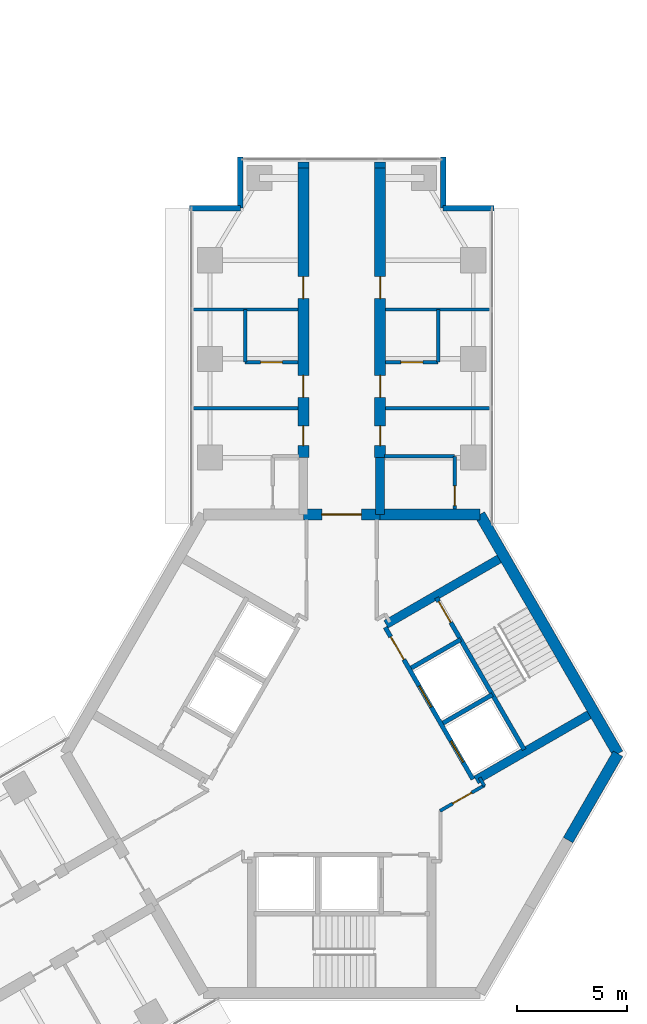
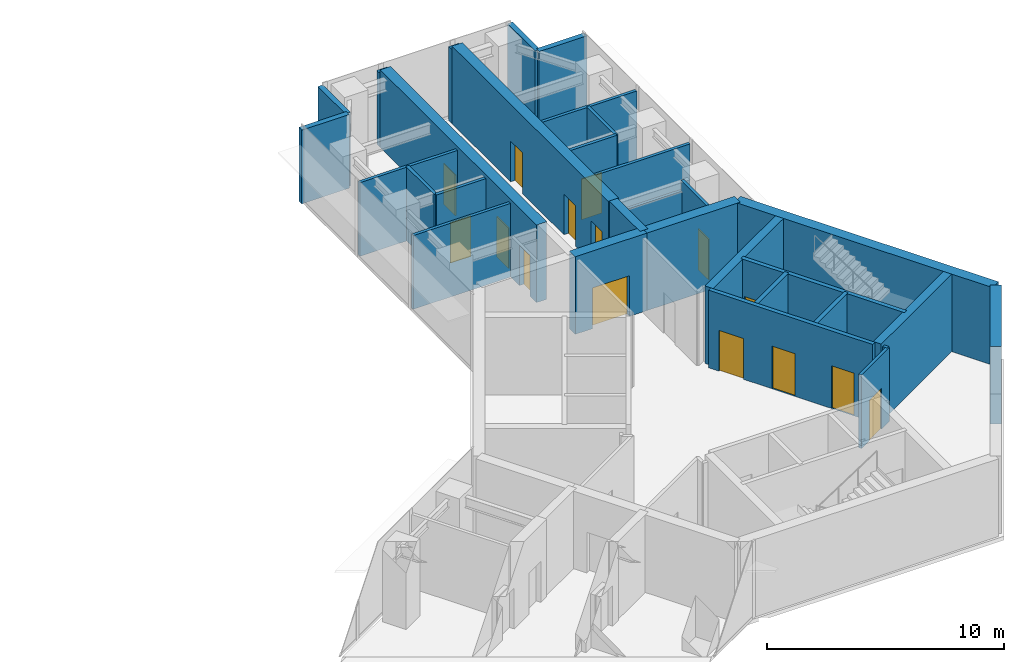
# One storey, part 15 of 17: 31 walls, 15 doors, 15 openings.
"""IFC4 building model written with IfcOpenShell, lengths in metres."""

import ifcopenshell
import ifcopenshell.guid

model = None  # the IFC model being written
_history = None  # IfcOwnerHistory: only IFC2X3 demands one
_inside = {}  # id of a spatial element -> (the spatial element, [elements in it])
_under = {}  # id of a project, library or spatial element -> (it, [spatial elements below it])
_declared = {}  # id of a project -> (the project, [libraries it declares])
_typed = {}  # id of a type object -> (the type object, [elements of that type])
_made_of = {}  # id of a material, layer set ... -> (it, [elements and type objects made of it])


def new_model(schema):
    """Start an empty IFC model of exactly this schema.

    Asked for "IFC4X3", IfcOpenShell would pick the latest addendum, in which some entities
    have other attributes; the version numbers below select the first issue.
    IFC2X3 requires an IfcOwnerHistory on every rooted entity: one is made here for all.
    """
    global model, _history
    if schema == "IFC4X3":
        model = ifcopenshell.file(schema_version=(4, 3, 0, 0))
    else:
        model = ifcopenshell.file(schema=schema)
    _inside.clear()
    _under.clear()
    _declared.clear()
    _typed.clear()
    _made_of.clear()
    _history = None
    if model.schema == "IFC2X3":
        org = make("IfcOrganization", Name="unknown")
        user = make(
            "IfcPersonAndOrganization",
            ThePerson=make("IfcPerson", FamilyName="unknown"),
            TheOrganization=org,
        )
        app = make(
            "IfcApplication",
            ApplicationDeveloper=org,
            Version="unknown",
            ApplicationFullName="unknown",
            ApplicationIdentifier="unknown",
        )
        _history = make(
            "IfcOwnerHistory",
            OwningUser=user,
            OwningApplication=app,
            ChangeAction="ADDED",
            CreationDate=0,
        )
    return model


def make(cls, **values):
    """One entity of the class cls with the attributes given. An attribute that is None is left unset."""
    return model.create_entity(
        cls, **{name: value for name, value in values.items() if value is not None}
    )


def rooted(cls, **values):
    """An entity with a GlobalId (a new one), such as an element, a storey or a relation."""
    return make(cls, GlobalId=ifcopenshell.guid.new(), OwnerHistory=_history, **values)


def si_unit(unit_type, name, prefix=None):
    """IfcSIUnit, for example si_unit("LENGTHUNIT", "METRE", prefix="MILLI")."""
    return make("IfcSIUnit", UnitType=unit_type, Prefix=prefix, Name=name)


def assignment(units):
    """IfcUnitAssignment: the units of a project."""
    return None if units is None else make("IfcUnitAssignment", Units=units)


def point(xyz):
    """IfcCartesianPoint."""
    return None if xyz is None else make("IfcCartesianPoint", Coordinates=xyz)


def direction(xyz):
    """IfcDirection."""
    return None if xyz is None else make("IfcDirection", DirectionRatios=xyz)


def frame(location, z_axis=None, x_axis=None):
    """IfcAxis2Placement3D, a coordinate frame: its origin and axes. An axis left out is left unset."""
    return make(
        "IfcAxis2Placement3D",
        Location=point(location),
        Axis=direction(z_axis),
        RefDirection=direction(x_axis),
    )


def frame_2d(location, x_axis=None):
    """IfcAxis2Placement2D, a coordinate frame in the plane: its origin and x axis."""
    return make(
        "IfcAxis2Placement2D", Location=point(location), RefDirection=direction(x_axis)
    )


def origin():
    """The frame at (0, 0, 0) with its axes left unset."""
    return frame((0.0, 0.0, 0.0))


def place(relative_to, where):
    """IfcLocalPlacement: puts the frame where relative to a parent placement (None: the world)."""
    return make(
        "IfcLocalPlacement", PlacementRelTo=relative_to, RelativePlacement=where
    )


def context(
    kind, dimensions, precision=None, world=None, true_north=None, identifier=None
):
    """IfcGeometricRepresentationContext, for example the 3D "Model" context."""
    return make(
        "IfcGeometricRepresentationContext",
        ContextIdentifier=identifier,
        ContextType=kind,
        CoordinateSpaceDimension=dimensions,
        Precision=precision,
        WorldCoordinateSystem=world,
        TrueNorth=true_north,
    )


def subcontext(parent, identifier, kind, view, scale=None):
    """IfcGeometricRepresentationSubContext, for example "Body" below "Model"."""
    return make(
        "IfcGeometricRepresentationSubContext",
        ContextIdentifier=identifier,
        ContextType=kind,
        ParentContext=parent,
        TargetScale=scale,
        TargetView=view,
    )


def project(units=None, contexts=None):
    """IfcProject with its units and contexts."""
    return rooted(
        "IfcProject",
        Name="project",
        RepresentationContexts=contexts,
        UnitsInContext=assignment(units),
    )


def spatial(cls, under=None, at=None, **own):
    """A site, building, storey or space (cls), placed at a placement, below another one or the project."""
    s = rooted(cls, ObjectPlacement=at, **own)
    if under is not None:
        _under.setdefault(under.id(), (under, []))[1].append(s)
    return s


def profile(cls, at=None, kind="AREA", **sizes):
    """A parametric profile (cls). Its sizes go by their IFC names, for example OverallWidth=200.0."""
    return make(cls, ProfileType=kind, Position=at, **sizes)


def rectangle(**sizes):
    """IfcRectangleProfileDef."""
    return profile("IfcRectangleProfileDef", **sizes)


def extrude(swept, where, along, depth):
    """IfcExtrudedAreaSolid: the profile swept, set in the frame where, extruded along a direction by depth."""
    return make(
        "IfcExtrudedAreaSolid",
        SweptArea=swept,
        Position=where,
        ExtrudedDirection=direction(along),
        Depth=depth,
    )


def shape(context_of_items, identifier, shape_type, items):
    """IfcShapeRepresentation: the items that make up one representation, for example the "Body"."""
    return make(
        "IfcShapeRepresentation",
        ContextOfItems=context_of_items,
        RepresentationIdentifier=identifier,
        RepresentationType=shape_type,
        Items=items,
    )


def material(Name=None, Category=None):
    """IfcMaterial."""
    return make("IfcMaterial", Name=Name, Category=Category)


def layer(
    of_material, thickness, ventilated=None, Name=None, Category=None, Priority=None
):
    """IfcMaterialLayer: one layer of a wall or slab, of a material (None: an air gap)."""
    return make(
        "IfcMaterialLayer",
        Material=of_material,
        LayerThickness=thickness,
        IsVentilated=ventilated,
        Name=Name,
        Category=Category,
        Priority=Priority,
    )


def layer_set(layers, Name=None):
    """IfcMaterialLayerSet."""
    return make("IfcMaterialLayerSet", MaterialLayers=layers, LayerSetName=Name)


def made_of(thing, what):
    """Note that an element or type object is made of a material, layer set ...; save() writes the relation."""
    if what is not None:
        _made_of.setdefault(what.id(), (what, []))[1].append(thing)
    return thing


def type_object(cls, material=None, **own):
    """A type object (cls), such as IfcWallType, which elements share."""
    return made_of(rooted(cls, **own), material)


def element(
    cls,
    number,
    at=None,
    inside=None,
    cuts=None,
    type_object=None,
    material=None,
    context=None,
    identifier="Body",
    shape_type=None,
    held_by="IfcProductDefinitionShape",
    body=None,
    shapes=None,
    **own,
):
    """One element of the class cls, such as IfcWall. Its Tag is "e" and its number.

    at: its placement. inside: the storey or other place that contains it. cuts: it is an
    opening in that element (IfcRelVoidsElement). A single representation is given by context,
    identifier, shape_type and body (its items); several are given by shapes. held_by: the class
    of the entity that holds the representations. save() writes the other relations.
    """
    e = rooted(cls, Tag="e%d" % number, ObjectPlacement=at, **own)
    if body is not None:
        shapes = [shape(context, identifier, shape_type, body)]
    if shapes is not None:
        e.Representation = make(held_by, Representations=shapes)
    if inside is not None:
        _inside.setdefault(inside.id(), (inside, []))[1].append(e)
    if cuts is not None:
        rooted(
            "IfcRelVoidsElement", RelatingBuildingElement=cuts, RelatedOpeningElement=e
        )
    if type_object is not None:
        _typed.setdefault(type_object.id(), (type_object, []))[1].append(e)
    return made_of(e, material)


def fill(opening, filler):
    """IfcRelFillsElement: the door or window that sits in an opening."""
    return rooted(
        "IfcRelFillsElement",
        RelatingOpeningElement=opening,
        RelatedBuildingElement=filler,
    )


def aggregate(whole, parts):
    """IfcRelAggregates: a whole, such as a stair, and the parts it consists of."""
    return rooted("IfcRelAggregates", RelatingObject=whole, RelatedObjects=parts)


def save(model, path):
    """Write the relations noted so far, then the file.

    IfcRelAggregates (storeys below a building ...), IfcRelContainedInSpatialStructure (elements
    in a storey), IfcRelDefinesByType, IfcRelAssociatesMaterial and IfcRelDeclares: one each for
    every whole, place, type object, material and project.
    """
    for whole, parts in _under.values():
        aggregate(whole, parts)
    for where, things in _inside.values():
        rooted(
            "IfcRelContainedInSpatialStructure",
            RelatedElements=things,
            RelatingStructure=where,
        )
    for kind, things in _typed.values():
        rooted("IfcRelDefinesByType", RelatedObjects=things, RelatingType=kind)
    for what, things in _made_of.values():
        rooted("IfcRelAssociatesMaterial", RelatedObjects=things, RelatingMaterial=what)
    for by, libraries in _declared.values():
        rooted("IfcRelDeclares", RelatingContext=by, RelatedDefinitions=libraries)
    model.write(path)


model = new_model("IFC4")

# Units and contexts
model_context = context("Model", 3, precision=1e-05, world=origin(), true_north=direction((0.0, 1.0)))
body_context = subcontext(model_context, "Body", "Model", "MODEL_VIEW")
ifc_project = project(units=[si_unit("LENGTHUNIT", "METRE"), si_unit("AREAUNIT", "SQUARE_METRE"), si_unit("VOLUMEUNIT", "CUBIC_METRE"), si_unit("PLANEANGLEUNIT", "RADIAN"), si_unit("MASSUNIT", "GRAM", prefix="KILO")], contexts=[model_context])

# Site, building, storey
site_placement = place(None, origin())
site = spatial("IfcSite", under=ifc_project, at=site_placement, CompositionType="ELEMENT")
building_placement = place(site_placement, origin())
building = spatial("IfcBuilding", under=site, at=building_placement, Name="Upepo Twin Towers", CompositionType="ELEMENT")
storey_placement = place(building_placement, frame((0.0, 0.0, 198.5)))
storey = spatial("IfcBuildingStorey", under=building, at=storey_placement, Name="L48", CompositionType="ELEMENT", Elevation=198.5)

# Walls
ifc_material_1 = material(Name="Dense concrete blockwork", Category="masonry")
ifc_layer_1 = layer(ifc_material_1, 0.5)
ifc_layer_set_1 = layer_set([ifc_layer_1], Name="Buttress closer 500, blockwork with fire-stopping to the curtain wall")
wall_type_1 = type_object("IfcWallType", Name="Buttress closer 500, blockwork with fire-stopping to the curtain wall", PredefinedType="PARTITIONING", material=ifc_layer_set_1)
for number, where, z_axis, x_axis, name in (
    (1, (56.75, 8.699951171875, 0.0), (0.0, 0.0, 1.0), (0.0, 1.0, 0.0), "T2 L48 wing A buttress closer L"),
    (2, (60.25, 8.699951171875, 0.0), (0.0, 0.0, 1.0), (0.0, 1.0, 0.0), "T2 L48 wing A buttress closer R"),
):
    element("IfcWall", number, at=place(storey_placement, frame(where, z_axis=z_axis, x_axis=x_axis)), inside=storey, type_object=wall_type_1, Name=name, PredefinedType="PARTITIONING", context=body_context, shape_type="SweptSolid", body=[
        extrude(rectangle(XDim=0.28759765625, YDim=0.5, at=frame_2d((0.143798828125, 0.0))), origin(), (0.0, 0.0, 1.0), 3.800048828125),
    ])
ifc_material_2 = material(Name="Concrete C60/75", Category="concrete")
ifc_layer_2 = layer(ifc_material_2, 0.39990234375)
ifc_layer_set_2 = layer_set([ifc_layer_2], Name="Concrete C60/75")
wall_type_2 = type_object("IfcWallType", Name="Buttress wall 400 RC", PredefinedType="SHEAR", material=ifc_layer_set_2)
wall_1_placement = place(storey_placement, frame((60.25, -7.091552734375, 0.0), z_axis=(0.0, 0.0, 1.0), x_axis=(0.0, 1.0, 0.0)))
element("IfcWall", 3, at=wall_1_placement, inside=storey, type_object=wall_type_2, Name="T2 wing A buttress wall R", PredefinedType="SHEAR", context=body_context, shape_type="SweptSolid", body=[
    extrude(rectangle(XDim=2.591552734375, YDim=0.39990234375, at=frame_2d((1.2958984375, 0.0))), origin(), (0.0, 0.0, 1.0), 4.0),
])

# Wall, openings, doors
ifc_material_3 = material(Name="Concrete C60/75", Category="concrete")
ifc_layer_3 = layer(ifc_material_3, 0.5)
ifc_layer_set_3 = layer_set([ifc_layer_3], Name="Concrete C60/75")
wall_type_3 = type_object("IfcWallType", Name="Buttress wall 500 RC", PredefinedType="SHEAR", material=ifc_layer_set_3)
wall_2_placement = place(storey_placement, frame((56.75, -4.5, 0.0), z_axis=(0.0, 0.0, 1.0), x_axis=(0.0, 1.0, 0.0)))
wall_2 = element("IfcWall", 4, at=wall_2_placement, inside=storey, type_object=wall_type_3, Name="T2 wing A buttress wall L part 2", PredefinedType="SHEAR", context=body_context, shape_type="SweptSolid", body=[
    extrude(rectangle(XDim=13.199951171875, YDim=0.5, at=frame_2d((6.60009765625, 0.0))), origin(), (0.0, 0.0, 1.0), 4.0),
])
opening_1_placement = place(wall_2_placement, frame((0.550048828125, 0.0, 0.0)))
opening_1 = element("IfcOpeningElement", 5, at=opening_1_placement, cuts=wall_2, Name="Opening D11", PredefinedType="OPENING", context=body_context, shape_type="SweptSolid", body=[
    extrude(rectangle(XDim=0.89990234375, YDim=2.10009765625, at=frame_2d((0.449951171875, 1.050048828125))), frame((0.0, 0.260009765625, 0.0), z_axis=(0.0, -1.0, 0.0), x_axis=(1.0, 0.0, 0.0)), (0.0, 0.0, 1.0), 0.52001953125),
])
opening_2_placement = place(wall_2_placement, frame((2.75, 0.0, 0.0)))
opening_2 = element("IfcOpeningElement", 6, at=opening_2_placement, cuts=wall_2, Name="Opening D1", PredefinedType="OPENING", context=body_context, shape_type="SweptSolid", body=[
    extrude(rectangle(XDim=1.0, YDim=2.10009765625, at=frame_2d((0.5, 1.050048828125))), frame((0.0, 0.260009765625, 0.0), z_axis=(0.0, -1.0, 0.0), x_axis=(1.0, 0.0, 0.0)), (0.0, 0.0, 1.0), 0.52001953125),
])
opening_3_placement = place(wall_2_placement, frame((7.25, 0.0, 0.0)))
opening_3 = element("IfcOpeningElement", 7, at=opening_3_placement, cuts=wall_2, Name="Opening D1", PredefinedType="OPENING", context=body_context, shape_type="SweptSolid", body=[
    extrude(rectangle(XDim=1.0, YDim=2.10009765625, at=frame_2d((0.5, 1.050048828125))), frame((0.0, 0.260009765625, 0.0), z_axis=(0.0, -1.0, 0.0), x_axis=(1.0, 0.0, 0.0)), (0.0, 0.0, 1.0), 0.52001953125),
])
ifc_material_4 = material(Name="Timber doorset", Category="wood")
door_type_1 = type_object("IfcDoorType", Name="Room door 1000 FD30", OperationType="SINGLE_SWING_LEFT", PredefinedType="DOOR", material=ifc_material_4)
door_1_placement = place(opening_2_placement, origin())
door_1 = element("IfcDoor", 8, at=door_1_placement, inside=storey, type_object=door_type_1, Name="T2 L48 tutorial room door", OperationType="SINGLE_SWING_LEFT", OverallHeight=2.10009765625, OverallWidth=1.0, PredefinedType="DOOR", context=body_context, shape_type="SweptSolid", body=[
    extrude(rectangle(XDim=1.0, YDim=2.10009765625, at=frame_2d((0.5, 1.050048828125))), frame((0.0, 0.02490234375, 0.0), z_axis=(0.0, -1.0, 0.0), x_axis=(1.0, 0.0, 0.0)), (0.0, 0.0, 1.0), 0.050048828125),
])
fill(opening_2, door_1)
door_2_placement = place(opening_3_placement, origin())
door_2 = element("IfcDoor", 9, at=door_2_placement, inside=storey, type_object=door_type_1, Name="T2 L48 staff office door", OperationType="SINGLE_SWING_RIGHT", OverallHeight=2.10009765625, OverallWidth=1.0, PredefinedType="DOOR", context=body_context, shape_type="SweptSolid", body=[
    extrude(rectangle(XDim=1.0, YDim=2.10009765625, at=frame_2d((0.5, 1.050048828125))), frame((0.0, 0.02490234375, 0.0), z_axis=(0.0, -1.0, 0.0), x_axis=(1.0, 0.0, 0.0)), (0.0, 0.0, 1.0), 0.050048828125),
])
fill(opening_3, door_2)
ifc_material_5 = material(Name="Timber doorset", Category="wood")
door_type_2 = type_object("IfcDoorType", Name="Toilet door 900", OperationType="SINGLE_SWING_LEFT", PredefinedType="DOOR", material=ifc_material_5)
door_3_placement = place(opening_1_placement, origin())
door_3 = element("IfcDoor", 10, at=door_3_placement, inside=storey, type_object=door_type_2, Name="T2 L48 toilets door", OperationType="SINGLE_SWING_LEFT", OverallHeight=2.10009765625, OverallWidth=0.89990234375, PredefinedType="DOOR", context=body_context, shape_type="SweptSolid", body=[
    extrude(rectangle(XDim=0.89990234375, YDim=2.10009765625, at=frame_2d((0.449951171875, 1.050048828125))), frame((0.0, 0.02490234375, 0.0), z_axis=(0.0, -1.0, 0.0), x_axis=(1.0, 0.0, 0.0)), (0.0, 0.0, 1.0), 0.050048828125),
])
fill(opening_1, door_3)

wall_3_placement = place(storey_placement, frame((60.25, -4.5, 0.0), z_axis=(0.0, 0.0, 1.0), x_axis=(0.0, 1.0, 0.0)))
wall_3 = element("IfcWall", 11, at=wall_3_placement, inside=storey, type_object=wall_type_3, Name="T2 wing A buttress wall R part 2", PredefinedType="SHEAR", context=body_context, shape_type="SweptSolid", body=[
    extrude(rectangle(XDim=13.199951171875, YDim=0.5, at=frame_2d((6.60009765625, 0.0))), origin(), (0.0, 0.0, 1.0), 4.0),
])
opening_4_placement = place(wall_3_placement, frame((0.550048828125, 0.0, 0.0)))
opening_4 = element("IfcOpeningElement", 12, at=opening_4_placement, cuts=wall_3, Name="Opening D11", PredefinedType="OPENING", context=body_context, shape_type="SweptSolid", body=[
    extrude(rectangle(XDim=0.89990234375, YDim=2.10009765625, at=frame_2d((0.449951171875, 1.050048828125))), frame((0.0, 0.260009765625, 0.0), z_axis=(0.0, -1.0, 0.0), x_axis=(1.0, 0.0, 0.0)), (0.0, 0.0, 1.0), 0.52001953125),
])
opening_5_placement = place(wall_3_placement, frame((2.75, 0.0, 0.0)))
opening_5 = element("IfcOpeningElement", 13, at=opening_5_placement, cuts=wall_3, Name="Opening D1", PredefinedType="OPENING", context=body_context, shape_type="SweptSolid", body=[
    extrude(rectangle(XDim=1.0, YDim=2.10009765625, at=frame_2d((0.5, 1.050048828125))), frame((0.0, 0.260009765625, 0.0), z_axis=(0.0, -1.0, 0.0), x_axis=(1.0, 0.0, 0.0)), (0.0, 0.0, 1.0), 0.52001953125),
])
opening_6_placement = place(wall_3_placement, frame((7.25, 0.0, 0.0)))
opening_6 = element("IfcOpeningElement", 14, at=opening_6_placement, cuts=wall_3, Name="Opening D1", PredefinedType="OPENING", context=body_context, shape_type="SweptSolid", body=[
    extrude(rectangle(XDim=1.0, YDim=2.10009765625, at=frame_2d((0.5, 1.050048828125))), frame((0.0, 0.260009765625, 0.0), z_axis=(0.0, -1.0, 0.0), x_axis=(1.0, 0.0, 0.0)), (0.0, 0.0, 1.0), 0.52001953125),
])
door_4_placement = place(opening_5_placement, origin())
door_4 = element("IfcDoor", 15, at=door_4_placement, inside=storey, type_object=door_type_1, Name="T2 L48 seminar room door", OperationType="SINGLE_SWING_LEFT", OverallHeight=2.10009765625, OverallWidth=1.0, PredefinedType="DOOR", context=body_context, shape_type="SweptSolid", body=[
    extrude(rectangle(XDim=1.0, YDim=2.10009765625, at=frame_2d((0.5, 1.050048828125))), frame((0.0, 0.02490234375, 0.0), z_axis=(0.0, -1.0, 0.0), x_axis=(1.0, 0.0, 0.0)), (0.0, 0.0, 1.0), 0.050048828125),
])
fill(opening_5, door_4)
door_5_placement = place(opening_6_placement, origin())
door_5 = element("IfcDoor", 16, at=door_5_placement, inside=storey, type_object=door_type_1, Name="T2 L48 tutorial room door", OperationType="SINGLE_SWING_RIGHT", OverallHeight=2.10009765625, OverallWidth=1.0, PredefinedType="DOOR", context=body_context, shape_type="SweptSolid", body=[
    extrude(rectangle(XDim=1.0, YDim=2.10009765625, at=frame_2d((0.5, 1.050048828125))), frame((0.0, 0.02490234375, 0.0), z_axis=(0.0, -1.0, 0.0), x_axis=(1.0, 0.0, 0.0)), (0.0, 0.0, 1.0), 0.050048828125),
])
fill(opening_6, door_5)
door_6_placement = place(opening_4_placement, origin())
door_6 = element("IfcDoor", 17, at=door_6_placement, inside=storey, type_object=door_type_2, Name="T2 L48 accessible wc door", OperationType="SINGLE_SWING_LEFT", OverallHeight=2.10009765625, OverallWidth=0.89990234375, PredefinedType="DOOR", context=body_context, shape_type="SweptSolid", body=[
    extrude(rectangle(XDim=0.89990234375, YDim=2.10009765625, at=frame_2d((0.449951171875, 1.050048828125))), frame((0.0, 0.02490234375, 0.0), z_axis=(0.0, -1.0, 0.0), x_axis=(1.0, 0.0, 0.0)), (0.0, 0.0, 1.0), 0.050048828125),
])
fill(opening_4, door_6)

# Wall
ifc_material_6 = material(Name="Concrete C60/75", Category="concrete")
ifc_layer_4 = layer(ifc_material_6, 0.5)
ifc_layer_set_4 = layer_set([ifc_layer_4], Name="Concrete C60/75")
wall_type_4 = type_object("IfcWallType", Name="Core wall 500 RC", PredefinedType="SHEAR", material=ifc_layer_set_4)
wall_4_placement = place(storey_placement, frame((64.7978515625, -7.091552734375, 0.0), z_axis=(0.0, 0.0, 1.0), x_axis=(-1.0, 0.0, 0.0)))
element("IfcWall", 18, at=wall_4_placement, inside=storey, type_object=wall_type_4, Name="T2 core wall 000 R", PredefinedType="SHEAR", context=body_context, shape_type="SweptSolid", body=[
    extrude(rectangle(XDim=4.5478515625, YDim=0.5, at=frame_2d((2.27392578125, 0.0))), origin(), (0.0, 0.0, 1.0), 4.0),
])

# Wall, opening, door
wall_5_placement = place(storey_placement, frame((60.25, -7.091552734375, 0.0), z_axis=(0.0, 0.0, 1.0), x_axis=(-1.0, 0.0, 0.0)))
wall_5 = element("IfcWall", 19, at=wall_5_placement, inside=storey, type_object=wall_type_4, Name="T2 core wall 000", PredefinedType="SHEAR", context=body_context, shape_type="SweptSolid", body=[
    extrude(rectangle(XDim=3.5, YDim=0.5, at=frame_2d((1.75, 0.0))), origin(), (0.0, 0.0, 1.0), 4.0),
])
opening_7_placement = place(wall_5_placement, frame((0.85009765625, 0.0, 0.0)))
opening_7 = element("IfcOpeningElement", 20, at=opening_7_placement, cuts=wall_5, Name="Opening D2", PredefinedType="OPENING", context=body_context, shape_type="SweptSolid", body=[
    extrude(rectangle(XDim=1.800048828125, YDim=2.10009765625, at=frame_2d((0.89990234375, 1.050048828125))), frame((0.0, 0.260009765625, 0.0), z_axis=(0.0, -1.0, 0.0), x_axis=(1.0, 0.0, 0.0)), (0.0, 0.0, 1.0), 0.52001953125),
])
ifc_material_7 = material(Name="Timber doorset", Category="wood")
door_type_3 = type_object("IfcDoorType", Name="Corridor double door 1800 FD60", OperationType="DOUBLE_DOOR_DOUBLE_SWING", PredefinedType="DOOR", material=ifc_material_7)
door_7_placement = place(opening_7_placement, origin())
door_7 = element("IfcDoor", 21, at=door_7_placement, inside=storey, type_object=door_type_3, Name="T2 L48 wing A corridor door", OperationType="DOUBLE_DOOR_DOUBLE_SWING", OverallHeight=2.10009765625, OverallWidth=1.800048828125, PredefinedType="DOOR", context=body_context, shape_type="SweptSolid", body=[
    extrude(rectangle(XDim=1.800048828125, YDim=2.10009765625, at=frame_2d((0.89990234375, 1.050048828125))), frame((0.0, 0.02490234375, 0.0), z_axis=(0.0, -1.0, 0.0), x_axis=(1.0, 0.0, 0.0)), (0.0, 0.0, 1.0), 0.050048828125),
])
fill(opening_7, door_7)

# Walls
wall_6_placement = place(storey_placement, frame((68.82177734375, -21.938720703125, 0.0), z_axis=(0.0, 0.0, 1.0), x_axis=(0.500024481964, 0.866011268655, 0.0)))
element("IfcWall", 22, at=wall_6_placement, inside=storey, type_object=wall_type_4, Name="T2 core wall 240 L", PredefinedType="SHEAR", context=body_context, shape_type="SweptSolid", body=[
    extrude(rectangle(XDim=4.548095703125, YDim=0.5, at=frame_2d((2.27392578125, 0.0))), origin(), (0.0, 0.0, 1.0), 4.0),
])
wall_7_placement = place(storey_placement, frame((71.095947265625, -18.0, 0.0), z_axis=(0.0, 0.0, 1.0), x_axis=(-0.500005998175, 0.866021940709, 0.0)))
element("IfcWall", 23, at=wall_7_placement, inside=storey, type_object=wall_type_4, Name="T2 core wall 300", PredefinedType="SHEAR", context=body_context, shape_type="SweptSolid", body=[
    extrude(rectangle(XDim=12.595947265625, YDim=0.5, at=frame_2d((6.2978515625, 0.0))), origin(), (0.0, 0.0, 1.0), 4.0),
])
ifc_material_8 = material(Name="Blockwork with anodised aluminium cladding", Category="masonry")
ifc_layer_5 = layer(ifc_material_8, 0.25)
ifc_layer_set_5 = layer_set([ifc_layer_5], Name="Notch cladding wall 250, pale metal")
wall_type_5 = type_object("IfcWallType", Name="Notch cladding wall 250, pale metal", PredefinedType="STANDARD", material=ifc_layer_set_5)
for number, where, z_axis, x_axis, name in (
    (24, (51.550048828125, 6.875, 0.0), (0.0, 0.0, 1.0), (1.0, 0.0, 0.0), "T2 L48 wing A notch wall L1"),
    (25, (53.875, 6.875, 0.0), (0.0, 0.0, 1.0), (0.0, 1.0, 0.0), "T2 L48 wing A notch wall L2"),
    (26, (65.449951171875, 6.875, 0.0), (0.0, 0.0, 1.0), (-1.0, 0.0, 0.0), "T2 L48 wing A notch wall R1"),
    (27, (63.125, 6.875, 0.0), (0.0, 0.0, 1.0), (0.0, 1.0, 0.0), "T2 L48 wing A notch wall R2"),
):
    element("IfcWall", number, at=place(storey_placement, frame(where, z_axis=z_axis, x_axis=x_axis)), inside=storey, type_object=wall_type_5, Name=name, PredefinedType="STANDARD", context=body_context, shape_type="SweptSolid", body=[
        extrude(rectangle(XDim=2.324951171875, YDim=0.25, at=frame_2d((1.16259765625, 0.0))), origin(), (0.0, 0.0, 1.0), 3.800048828125),
    ])

# Wall, openings, doors
ifc_material_9 = material(Name="Concrete C40/50", Category="concrete")
ifc_layer_6 = layer(ifc_material_9, 0.199951171875)
ifc_layer_set_6 = layer_set([ifc_layer_6], Name="Concrete C40/50")
wall_type_6 = type_object("IfcWallType", Name="Shaft wall 200 RC", PredefinedType="SHEAR", material=ifc_layer_set_6)
wall_8_placement = place(storey_placement, frame((64.483642578125, -19.1640625, 0.0), z_axis=(0.0, 0.0, 1.0), x_axis=(-0.49999894854, 0.866026010844, 0.0)))
wall_8 = element("IfcWall", 28, at=wall_8_placement, inside=storey, type_object=wall_type_6, Name="T2 core W300 front wall", PredefinedType="SHEAR", context=body_context, shape_type="SweptSolid", body=[
    extrude(rectangle(XDim=8.0, YDim=0.199951171875, at=frame_2d((4.0, 0.0))), origin(), (0.0, 0.0, 1.0), 4.0),
])
opening_8_placement = place(wall_8_placement, frame((6.300048828125, 0.0, 0.0)))
opening_8 = element("IfcOpeningElement", 29, at=opening_8_placement, cuts=wall_8, Name="Opening D4", PredefinedType="OPENING", context=body_context, shape_type="SweptSolid", body=[
    extrude(rectangle(XDim=1.199951171875, YDim=2.10009765625, at=frame_2d((0.60009765625, 1.050048828125))), frame((0.0, 0.10986328125, 0.0), z_axis=(0.0, -1.0, 0.0), x_axis=(1.0, 0.0, 0.0)), (0.0, 0.0, 1.0), 0.219970703125),
])
opening_9_placement = place(wall_8_placement, frame((0.89990234375, 0.0, 0.0)))
opening_9 = element("IfcOpeningElement", 30, at=opening_9_placement, cuts=wall_8, Name="Opening LD1", PredefinedType="OPENING", context=body_context, shape_type="SweptSolid", body=[
    extrude(rectangle(XDim=1.10009765625, YDim=2.199951171875, at=frame_2d((0.550048828125, 1.10009765625))), frame((0.0, 0.10986328125, 0.0), z_axis=(0.0, -1.0, 0.0), x_axis=(1.0, 0.0, 0.0)), (0.0, 0.0, 1.0), 0.219970703125),
])
opening_10_placement = place(wall_8_placement, frame((3.800048828125, 0.0, 0.0)))
opening_10 = element("IfcOpeningElement", 31, at=opening_10_placement, cuts=wall_8, Name="Opening LD1", PredefinedType="OPENING", context=body_context, shape_type="SweptSolid", body=[
    extrude(rectangle(XDim=1.10009765625, YDim=2.199951171875, at=frame_2d((0.550048828125, 1.10009765625))), frame((0.0, 0.10986328125, 0.0), z_axis=(0.0, -1.0, 0.0), x_axis=(1.0, 0.0, 0.0)), (0.0, 0.0, 1.0), 0.219970703125),
])
ifc_material_10 = material(Name="Steel doorset", Category="steel")
door_type_4 = type_object("IfcDoorType", Name="Lift landing door 1100", OperationType="DOUBLE_DOOR_SLIDING", PredefinedType="DOOR", material=ifc_material_10)
door_8_placement = place(opening_9_placement, origin())
door_8 = element("IfcDoor", 32, at=door_8_placement, inside=storey, type_object=door_type_4, Name="T2 L48 lift UL1 landing door", OperationType="DOUBLE_DOOR_SLIDING", OverallHeight=2.199951171875, OverallWidth=1.10009765625, PredefinedType="DOOR", context=body_context, shape_type="SweptSolid", body=[
    extrude(rectangle(XDim=1.10009765625, YDim=2.199951171875, at=frame_2d((0.550048828125, 1.10009765625))), frame((0.0, 0.02490234375, 0.0), z_axis=(0.0, -1.0, 0.0), x_axis=(1.0, 0.0, 0.0)), (0.0, 0.0, 1.0), 0.050048828125),
])
fill(opening_9, door_8)
door_9_placement = place(opening_10_placement, origin())
door_9 = element("IfcDoor", 33, at=door_9_placement, inside=storey, type_object=door_type_4, Name="T2 L48 lift UL2 landing door", OperationType="DOUBLE_DOOR_SLIDING", OverallHeight=2.199951171875, OverallWidth=1.10009765625, PredefinedType="DOOR", context=body_context, shape_type="SweptSolid", body=[
    extrude(rectangle(XDim=1.10009765625, YDim=2.199951171875, at=frame_2d((0.550048828125, 1.10009765625))), frame((0.0, 0.02490234375, 0.0), z_axis=(0.0, -1.0, 0.0), x_axis=(1.0, 0.0, 0.0)), (0.0, 0.0, 1.0), 0.050048828125),
])
fill(opening_10, door_9)
ifc_material_11 = material(Name="Timber doorset", Category="wood")
door_type_5 = type_object("IfcDoorType", Name="Lobby door 1200 FD60", OperationType="SINGLE_SWING_LEFT", PredefinedType="DOOR", material=ifc_material_11)
door_10_placement = place(opening_8_placement, origin())
door_10 = element("IfcDoor", 34, at=door_10_placement, inside=storey, type_object=door_type_5, Name="T2 L48 W300 lobby door", OperationType="SINGLE_SWING_RIGHT", OverallHeight=2.10009765625, OverallWidth=1.199951171875, PredefinedType="DOOR", context=body_context, shape_type="SweptSolid", body=[
    extrude(rectangle(XDim=1.199951171875, YDim=2.10009765625, at=frame_2d((0.60009765625, 1.050048828125))), frame((0.0, 0.02490234375, 0.0), z_axis=(0.0, -1.0, 0.0), x_axis=(1.0, 0.0, 0.0)), (0.0, 0.0, 1.0), 0.050048828125),
])
fill(opening_8, door_10)

# Walls
wall_9_placement = place(storey_placement, frame((63.120361328125, -16.6025390625, 0.0), z_axis=(0.0, 0.0, 1.0), x_axis=(0.866062058628, 0.499936506574, 0.0)))
element("IfcWall", 35, at=wall_9_placement, inside=storey, type_object=wall_type_6, Name="T2 core W300 shaft divider", PredefinedType="SHEAR", context=body_context, shape_type="SweptSolid", body=[
    extrude(rectangle(XDim=2.599853515625, YDim=0.199951171875, at=frame_2d((1.2998046875, 0.0))), origin(), (0.0, 0.0, 1.0), 4.0),
])
wall_10_placement = place(storey_placement, frame((61.67041015625, -14.091064453125, 0.0), z_axis=(0.0, 0.0, 1.0), x_axis=(0.86603858612, 0.49997716683, 0.0)))
element("IfcWall", 36, at=wall_10_placement, inside=storey, type_object=wall_type_6, Name="T2 core W300 lobby wall", PredefinedType="SHEAR", context=body_context, shape_type="SweptSolid", body=[
    extrude(rectangle(XDim=2.599609375, YDim=0.199951171875, at=frame_2d((1.2998046875, 0.0))), origin(), (0.0, 0.0, 1.0), 4.0),
])

# Wall, opening, door
wall_11_placement = place(storey_placement, frame((66.822021484375, -17.814208984375, 0.0), z_axis=(0.0, 0.0, 1.0), x_axis=(-0.49999894854, 0.866026010844, 0.0)))
wall_11 = element("IfcWall", 37, at=wall_11_placement, inside=storey, type_object=wall_type_6, Name="T2 core W300 stair wall", PredefinedType="SHEAR", context=body_context, shape_type="SweptSolid", body=[
    extrude(rectangle(XDim=8.0, YDim=0.199951171875, at=frame_2d((4.0, 0.0))), origin(), (0.0, 0.0, 1.0), 4.0),
])
opening_11_placement = place(wall_11_placement, frame((6.699951171875, 0.0, 0.0)))
opening_11 = element("IfcOpeningElement", 38, at=opening_11_placement, cuts=wall_11, Name="Opening D3", PredefinedType="OPENING", context=body_context, shape_type="SweptSolid", body=[
    extrude(rectangle(XDim=1.10009765625, YDim=2.10009765625, at=frame_2d((0.550048828125, 1.050048828125))), frame((0.0, 0.10986328125, 0.0), z_axis=(0.0, -1.0, 0.0), x_axis=(1.0, 0.0, 0.0)), (0.0, 0.0, 1.0), 0.219970703125),
])
ifc_material_12 = material(Name="Timber doorset", Category="wood")
door_type_6 = type_object("IfcDoorType", Name="Stair door 1100 FD60", OperationType="SINGLE_SWING_LEFT", PredefinedType="DOOR", material=ifc_material_12)
door_11_placement = place(opening_11_placement, origin())
door_11 = element("IfcDoor", 39, at=door_11_placement, inside=storey, type_object=door_type_6, Name="T2 L48 stair door", OperationType="SINGLE_SWING_RIGHT", OverallHeight=2.10009765625, OverallWidth=1.10009765625, PredefinedType="DOOR", context=body_context, shape_type="SweptSolid", body=[
    extrude(rectangle(XDim=1.10009765625, YDim=2.10009765625, at=frame_2d((0.550048828125, 1.050048828125))), frame((0.0, 0.02490234375, 0.0), z_axis=(0.0, -1.0, 0.0), x_axis=(1.0, 0.0, 0.0)), (0.0, 0.0, 1.0), 0.050048828125),
])
fill(opening_11, door_11)

# Walls
ifc_material_13 = material(Name="Concrete C40/50", Category="concrete")
ifc_layer_7 = layer(ifc_material_13, 0.39990234375)
ifc_layer_set_7 = layer_set([ifc_layer_7], Name="Concrete C40/50")
wall_type_7 = type_object("IfcWallType", Name="Shaft wall 400 RC", PredefinedType="SHEAR", material=ifc_layer_set_7)
wall_12_placement = place(storey_placement, frame((60.520263671875, -12.099365234375, 0.0), z_axis=(0.0, 0.0, 1.0), x_axis=(0.86602319114, 0.500003832394, 0.0)))
element("IfcWall", 40, at=wall_12_placement, inside=storey, type_object=wall_type_7, Name="T2 core W300 side wall N", PredefinedType="SHEAR", context=body_context, shape_type="SweptSolid", body=[
    extrude(rectangle(XDim=5.95849609375, YDim=0.39990234375, at=frame_2d((2.979248046875, 0.0))), origin(), (0.0, 0.0, 1.0), 4.0),
])
wall_13_placement = place(storey_placement, frame((64.620361328125, -19.20068359375, 0.0), z_axis=(0.0, 0.0, 1.0), x_axis=(0.866012946976, 0.500021575205, 0.0)))
element("IfcWall", 41, at=wall_13_placement, inside=storey, type_object=wall_type_7, Name="T2 core W300 side wall S", PredefinedType="SHEAR", context=body_context, shape_type="SweptSolid", body=[
    extrude(rectangle(XDim=5.958251953125, YDim=0.39990234375, at=frame_2d((2.97900390625, 0.0))), origin(), (0.0, 0.0, 1.0), 4.0),
])
ifc_material_14 = material(Name="Gypsum board on steel studs", Category="steel")
ifc_layer_8 = layer(ifc_material_14, 0.14990234375)
ifc_layer_set_8 = layer_set([ifc_layer_8], Name="Teaching partition 150 acoustic")
wall_type_8 = type_object("IfcWallType", Name="Teaching partition 150 acoustic", PredefinedType="PARTITIONING", material=ifc_layer_set_8)
for number, where, z_axis, x_axis, name in (
    (42, (56.5, -2.25, 0.0), (0.0, 0.0, 1.0), (-1.0, 0.0, 0.0), "T2 partition AL at 15.75"),
    (43, (56.5, 2.25, 0.0), (0.0, 0.0, 1.0), (-1.0, 0.0, 0.0), "T2 partition AL at 20.25"),
):
    element("IfcWall", number, at=place(storey_placement, frame(where, z_axis=z_axis, x_axis=x_axis)), inside=storey, type_object=wall_type_8, Name=name, PredefinedType="PARTITIONING", context=body_context, shape_type="SweptSolid", body=[
        extrude(rectangle(XDim=4.75, YDim=0.14990234375, at=frame_2d((2.375, 0.0))), origin(), (0.0, 0.0, 1.0), 3.800048828125),
    ])
wall_14_placement = place(storey_placement, frame((54.10009765625, -0.14990234375, 0.0), z_axis=(0.0, 0.0, 1.0), x_axis=(0.0, 1.0, 0.0)))
element("IfcWall", 44, at=wall_14_placement, inside=storey, type_object=wall_type_8, Name="T2 inner room partition AL at 17.85", PredefinedType="PARTITIONING", context=body_context, shape_type="SweptSolid", body=[
    extrude(rectangle(XDim=2.39990234375, YDim=0.14990234375, at=frame_2d((1.199951171875, 0.0))), origin(), (0.0, 0.0, 1.0), 3.800048828125),
])

# Wall, opening, door
wall_15_placement = place(storey_placement, frame((56.5, -0.14990234375, 0.0), z_axis=(0.0, 0.0, 1.0), x_axis=(-1.0, 0.0, 0.0)))
wall_15 = element("IfcWall", 45, at=wall_15_placement, inside=storey, type_object=wall_type_8, Name="T2 inner room partition AL end at 17.85", PredefinedType="PARTITIONING", context=body_context, shape_type="SweptSolid", body=[
    extrude(rectangle(XDim=2.39990234375, YDim=0.14990234375, at=frame_2d((1.199951171875, 0.0))), origin(), (0.0, 0.0, 1.0), 3.800048828125),
])
opening_12_placement = place(wall_15_placement, frame((0.699951171875, 0.0, 0.0)))
opening_12 = element("IfcOpeningElement", 46, at=opening_12_placement, cuts=wall_15, Name="Opening D1", PredefinedType="OPENING", context=body_context, shape_type="SweptSolid", body=[
    extrude(rectangle(XDim=1.0, YDim=2.10009765625, at=frame_2d((0.5, 1.050048828125))), frame((0.0, 0.0849609375, 0.0), z_axis=(0.0, -1.0, 0.0), x_axis=(1.0, 0.0, 0.0)), (0.0, 0.0, 1.0), 0.169921875),
])
door_12_placement = place(opening_12_placement, origin())
door_12 = element("IfcDoor", 47, at=door_12_placement, inside=storey, type_object=door_type_1, Name="T2 L48 inner room door", OperationType="SINGLE_SWING_LEFT", OverallHeight=2.10009765625, OverallWidth=1.0, PredefinedType="DOOR", context=body_context, shape_type="SweptSolid", body=[
    extrude(rectangle(XDim=1.0, YDim=2.10009765625, at=frame_2d((0.5, 1.050048828125))), frame((0.0, 0.02490234375, 0.0), z_axis=(0.0, -1.0, 0.0), x_axis=(1.0, 0.0, 0.0)), (0.0, 0.0, 1.0), 0.050048828125),
])
fill(opening_12, door_12)

# Walls
for number, where, z_axis, x_axis, name in (
    (48, (60.5, -2.25, 0.0), (0.0, 0.0, 1.0), (1.0, 0.0, 0.0), "T2 partition AR at 15.75"),
    (49, (60.5, 2.25, 0.0), (0.0, 0.0, 1.0), (1.0, 0.0, 0.0), "T2 partition AR at 20.25"),
):
    element("IfcWall", number, at=place(storey_placement, frame(where, z_axis=z_axis, x_axis=x_axis)), inside=storey, type_object=wall_type_8, Name=name, PredefinedType="PARTITIONING", context=body_context, shape_type="SweptSolid", body=[
        extrude(rectangle(XDim=4.75, YDim=0.14990234375, at=frame_2d((2.375, 0.0))), origin(), (0.0, 0.0, 1.0), 3.800048828125),
    ])
wall_16_placement = place(storey_placement, frame((62.89990234375, -0.14990234375, 0.0), z_axis=(0.0, 0.0, 1.0), x_axis=(0.0, 1.0, 0.0)))
element("IfcWall", 50, at=wall_16_placement, inside=storey, type_object=wall_type_8, Name="T2 inner room partition AR at 17.85", PredefinedType="PARTITIONING", context=body_context, shape_type="SweptSolid", body=[
    extrude(rectangle(XDim=2.39990234375, YDim=0.14990234375, at=frame_2d((1.199951171875, 0.0))), origin(), (0.0, 0.0, 1.0), 3.800048828125),
])

# Wall, opening, door
wall_17_placement = place(storey_placement, frame((60.5, -0.14990234375, 0.0), z_axis=(0.0, 0.0, 1.0), x_axis=(1.0, 0.0, 0.0)))
wall_17 = element("IfcWall", 51, at=wall_17_placement, inside=storey, type_object=wall_type_8, Name="T2 inner room partition AR end at 17.85", PredefinedType="PARTITIONING", context=body_context, shape_type="SweptSolid", body=[
    extrude(rectangle(XDim=2.39990234375, YDim=0.14990234375, at=frame_2d((1.199951171875, 0.0))), origin(), (0.0, 0.0, 1.0), 3.800048828125),
])
opening_13_placement = place(wall_17_placement, frame((0.699951171875, 0.0, 0.0)))
opening_13 = element("IfcOpeningElement", 52, at=opening_13_placement, cuts=wall_17, Name="Opening D1", PredefinedType="OPENING", context=body_context, shape_type="SweptSolid", body=[
    extrude(rectangle(XDim=1.0, YDim=2.10009765625, at=frame_2d((0.5, 1.050048828125))), frame((0.0, 0.0849609375, 0.0), z_axis=(0.0, -1.0, 0.0), x_axis=(1.0, 0.0, 0.0)), (0.0, 0.0, 1.0), 0.169921875),
])
door_13_placement = place(opening_13_placement, origin())
door_13 = element("IfcDoor", 53, at=door_13_placement, inside=storey, type_object=door_type_1, Name="T2 L48 inner room door", OperationType="SINGLE_SWING_LEFT", OverallHeight=2.10009765625, OverallWidth=1.0, PredefinedType="DOOR", context=body_context, shape_type="SweptSolid", body=[
    extrude(rectangle(XDim=1.0, YDim=2.10009765625, at=frame_2d((0.5, 1.050048828125))), frame((0.0, 0.02490234375, 0.0), z_axis=(0.0, -1.0, 0.0), x_axis=(1.0, 0.0, 0.0)), (0.0, 0.0, 1.0), 0.050048828125),
])
fill(opening_13, door_13)

wall_18_placement = place(storey_placement, frame((63.64990234375, -6.842041015625, 0.0), z_axis=(0.0, 0.0, 1.0), x_axis=(0.0, 1.0, 0.0)))
wall_18 = element("IfcWall", 54, at=wall_18_placement, inside=storey, type_object=wall_type_8, Name="T2 WC bay partition AR at 11.16", PredefinedType="PARTITIONING", context=body_context, shape_type="SweptSolid", body=[
    extrude(rectangle(XDim=2.400146484375, YDim=0.14990234375, at=frame_2d((1.2001953125, 0.0))), origin(), (0.0, 0.0, 1.0), 3.800048828125),
])
opening_14_placement = place(wall_18_placement, frame((0.14990234375, 0.0, 0.0)))
opening_14 = element("IfcOpeningElement", 55, at=opening_14_placement, cuts=wall_18, Name="Opening D14", PredefinedType="OPENING", context=body_context, shape_type="SweptSolid", body=[
    extrude(rectangle(XDim=0.89990234375, YDim=2.10009765625, at=frame_2d((0.449951171875, 1.050048828125))), frame((0.0, 0.0849609375, 0.0), z_axis=(0.0, -1.0, 0.0), x_axis=(1.0, 0.0, 0.0)), (0.0, 0.0, 1.0), 0.169921875),
])
ifc_material_15 = material(Name="Timber doorset", Category="wood")
door_type_7 = type_object("IfcDoorType", Name="Office door 900 FD30", OperationType="SINGLE_SWING_LEFT", PredefinedType="DOOR", material=ifc_material_15)
door_14_placement = place(opening_14_placement, origin())
door_14 = element("IfcDoor", 56, at=door_14_placement, inside=storey, type_object=door_type_7, Name="T2 L48 WC bay inner room door", OperationType="SINGLE_SWING_LEFT", OverallHeight=2.10009765625, OverallWidth=0.89990234375, PredefinedType="DOOR", context=body_context, shape_type="SweptSolid", body=[
    extrude(rectangle(XDim=0.89990234375, YDim=2.10009765625, at=frame_2d((0.449951171875, 1.050048828125))), frame((0.0, 0.02490234375, 0.0), z_axis=(0.0, -1.0, 0.0), x_axis=(1.0, 0.0, 0.0)), (0.0, 0.0, 1.0), 0.050048828125),
])
fill(opening_14, door_14)

# Walls
wall_19_placement = place(storey_placement, frame((60.449951171875, -4.44189453125, 0.0), z_axis=(0.0, 0.0, 1.0), x_axis=(1.0, 0.0, 0.0)))
element("IfcWall", 57, at=wall_19_placement, inside=storey, type_object=wall_type_8, Name="T2 WC bay partition AR end at 13.56", PredefinedType="PARTITIONING", context=body_context, shape_type="SweptSolid", body=[
    extrude(rectangle(XDim=3.199951171875, YDim=0.14990234375, at=frame_2d((1.60009765625, 0.0))), origin(), (0.0, 0.0, 1.0), 3.266845703125),
])
wall_20_placement = place(storey_placement, frame((64.78857421875, -19.092041015625, 0.0), z_axis=(0.0, 0.0, 1.0), x_axis=(0.499804398801, -0.866138304741, 0.0)))
element("IfcWall", 58, at=wall_20_placement, inside=storey, type_object=wall_type_8, Name="T2 core room partition 14", PredefinedType="PARTITIONING", context=body_context, shape_type="SweptSolid", body=[
    extrude(rectangle(XDim=0.429931640625, YDim=0.14990234375, at=frame_2d((0.21484375, 0.0))), origin(), (0.0, 0.0, 1.0), 3.800048828125),
])

# Wall, opening, door
wall_21_placement = place(storey_placement, frame((65.0107421875, -19.43701171875, 0.0), z_axis=(0.0, 0.0, 1.0), x_axis=(-0.865982457891, -0.500074377092, 0.0)))
wall_21 = element("IfcWall", 59, at=wall_21_placement, inside=storey, type_object=wall_type_8, Name="T2 core room partition 15", PredefinedType="PARTITIONING", context=body_context, shape_type="SweptSolid", body=[
    extrude(rectangle(XDim=2.342041015625, YDim=0.14990234375, at=frame_2d((1.1708984375, 0.0))), origin(), (0.0, 0.0, 1.0), 3.800048828125),
])
opening_15_placement = place(wall_21_placement, frame((0.6708984375, 0.0, 0.0)))
opening_15 = element("IfcOpeningElement", 60, at=opening_15_placement, cuts=wall_21, Name="Opening D1", PredefinedType="OPENING", context=body_context, shape_type="SweptSolid", body=[
    extrude(rectangle(XDim=1.0, YDim=2.10009765625, at=frame_2d((0.5, 1.050048828125))), frame((0.0, 0.0849609375, 0.0), z_axis=(0.0, -1.0, 0.0), x_axis=(1.0, 0.0, 0.0)), (0.0, 0.0, 1.0), 0.169921875),
])
door_15_placement = place(opening_15_placement, origin())
door_15 = element("IfcDoor", 61, at=door_15_placement, inside=storey, type_object=door_type_1, Name="T2 L48 core room door K3", OperationType="SINGLE_SWING_RIGHT", OverallHeight=2.10009765625, OverallWidth=1.0, PredefinedType="DOOR", context=body_context, shape_type="SweptSolid", body=[
    extrude(rectangle(XDim=1.0, YDim=2.10009765625, at=frame_2d((0.5, 1.050048828125))), frame((0.0, 0.02490234375, 0.0), z_axis=(0.0, -1.0, 0.0), x_axis=(1.0, 0.0, 0.0)), (0.0, 0.0, 1.0), 0.050048828125),
])
fill(opening_15, door_15)

save(model, "model.ifc")
